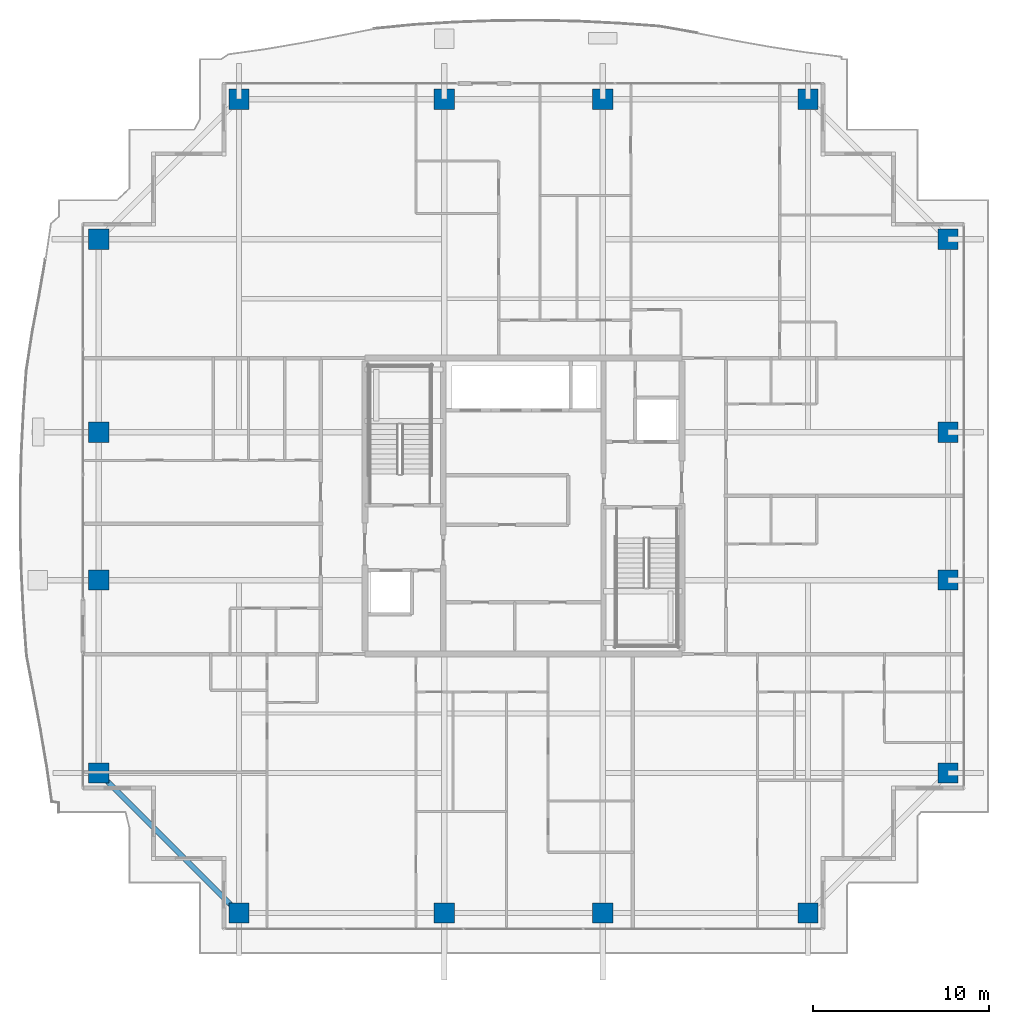
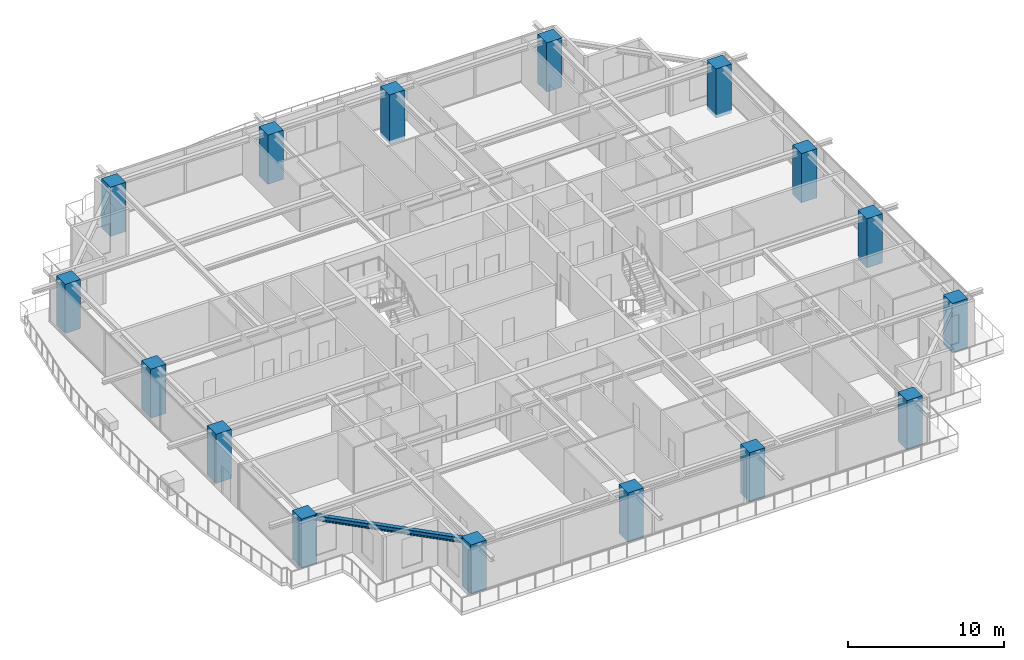
# One storey, part 1 of 38: 16 columns, 1 beam.
"""IFC4 building model written with IfcOpenShell, lengths in metres."""

from ifc_helpers import new_model, si_unit, direction, frame, origin, origin_2d, place, context, subcontext, project, spatial, rectangle, i_section, extrude, source, transform, mapped, material, material_profile, profile_set, type_object, element, save


model = new_model("IFC4")

# Units and contexts
model_context = context("Model", 3, precision=1e-05, world=origin(), true_north=direction((0.0, 1.0)))
body_context = subcontext(model_context, "Body", "Model", "MODEL_VIEW")
ifc_project = project(units=[si_unit("LENGTHUNIT", "METRE"), si_unit("AREAUNIT", "SQUARE_METRE"), si_unit("VOLUMEUNIT", "CUBIC_METRE"), si_unit("PLANEANGLEUNIT", "RADIAN"), si_unit("MASSUNIT", "GRAM", prefix="KILO")], contexts=[model_context])

# Site, building, storey
site_placement = place(None, origin())
site = spatial("IfcSite", under=ifc_project, at=site_placement, CompositionType="ELEMENT")
building_placement = place(site_placement, origin())
building = spatial("IfcBuilding", under=site, at=building_placement, Name="Serunith Strait Residences", CompositionType="ELEMENT")
storey_placement = place(building_placement, frame((0.0, 0.0, 268.199951171875)))
storey = spatial("IfcBuildingStorey", under=building, at=storey_placement, Name="L67", CompositionType="ELEMENT", Elevation=268.199951171875)

# Columns
ifc_material_1 = material(Name="Concrete C80/95", Category="concrete")
ifc_material_profile_1 = material_profile(ifc_material_1, rectangle(XDim=1.14990234375, YDim=1.14990234375, at=origin_2d()), Name="RC 1150x1150")
ifc_profile_set_1 = profile_set([ifc_material_profile_1], Name="Concrete C80/95")
column_type = type_object("IfcColumnType", Name="COL-RC-1150", PredefinedType="COLUMN", material=ifc_profile_set_1)
shared_shape_1 = source(origin(), body_context, "Body", "SweptSolid", [
    extrude(rectangle(XDim=1.14990234375, YDim=1.14990234375, at=origin_2d()), origin(), (0.0, 0.0, 1.0), 3.85009765625),
])
for number, where, z_axis, x_axis, name in (
    (1, (16.25, 2.10009765625, -0.260009765625), (0.0, 0.0, 1.0), (1.0, 0.0, 0.0), "L67 Tower Mega-Column TC-S1"),
    (2, (27.89990234375, 2.10009765625, -0.260009765625), (0.0, 0.0, 1.0), (1.0, 0.0, 0.0), "L67 Tower Mega-Column TC-S2"),
    (3, (36.89990234375, 2.10009765625, -0.260009765625), (0.0, 0.0, 1.0), (1.0, 0.0, 0.0), "L67 Tower Mega-Column TC-S3"),
    (4, (48.550048828125, 2.10009765625, -0.260009765625), (0.0, 0.0, 1.0), (1.0, 0.0, 0.0), "L67 Tower Mega-Column TC-S4"),
    (5, (16.25, 48.300048828125, -0.260009765625), (0.0, 0.0, 1.0), (1.0, 0.0, 0.0), "L67 Tower Mega-Column TC-N1"),
    (6, (27.89990234375, 48.300048828125, -0.260009765625), (0.0, 0.0, 1.0), (1.0, 0.0, 0.0), "L67 Tower Mega-Column TC-N2"),
    (7, (36.89990234375, 48.300048828125, -0.260009765625), (0.0, 0.0, 1.0), (1.0, 0.0, 0.0), "L67 Tower Mega-Column TC-N3"),
    (8, (48.550048828125, 48.300048828125, -0.260009765625), (0.0, 0.0, 1.0), (1.0, 0.0, 0.0), "L67 Tower Mega-Column TC-N4"),
    (9, (56.5, 10.050048828125, -0.260009765625), (0.0, 0.0, 1.0), (1.0, 0.0, 0.0), "L67 Tower Mega-Column TC-E1"),
    (10, (56.5, 21.0, -0.260009765625), (0.0, 0.0, 1.0), (1.0, 0.0, 0.0), "L67 Tower Mega-Column TC-E2"),
    (11, (56.5, 29.39990234375, -0.260009765625), (0.0, 0.0, 1.0), (1.0, 0.0, 0.0), "L67 Tower Mega-Column TC-E3"),
    (12, (56.5, 40.35009765625, -0.260009765625), (0.0, 0.0, 1.0), (1.0, 0.0, 0.0), "L67 Tower Mega-Column TC-E4"),
    (13, (8.300048828125, 10.050048828125, -0.260009765625), (0.0, 0.0, 1.0), (1.0, 0.0, 0.0), "L67 Tower Mega-Column TC-W1"),
    (14, (8.300048828125, 21.0, -0.260009765625), (0.0, 0.0, 1.0), (1.0, 0.0, 0.0), "L67 Tower Mega-Column TC-W2"),
    (15, (8.300048828125, 29.39990234375, -0.260009765625), (0.0, 0.0, 1.0), (1.0, 0.0, 0.0), "L67 Tower Mega-Column TC-W3"),
    (16, (8.300048828125, 40.35009765625, -0.260009765625), (0.0, 0.0, 1.0), (1.0, 0.0, 0.0), "L67 Tower Mega-Column TC-W4"),
):
    element("IfcColumn", number, at=place(storey_placement, frame(where, z_axis=z_axis, x_axis=x_axis)), inside=storey, type_object=column_type, Name=name, PredefinedType="COLUMN", context=body_context, shape_type="MappedRepresentation", body=[
        mapped(shared_shape_1, transform((0.0, 0.0, 0.0), scale=1.0)),
    ])

# Beam
ifc_material_2 = material(Name="Steel S355J2", Category="steel")
ifc_material_profile_2 = material_profile(ifc_material_2, i_section(OverallWidth=0.300048828125, OverallDepth=0.39990234375, WebThickness=0.013427734375, FlangeThickness=0.02392578125, FilletRadius=0.027099609375, at=origin_2d()), Name="HEB 400")
ifc_profile_set_2 = profile_set([ifc_material_profile_2], Name="Steel S355J2")
beam_type = type_object("IfcBeamType", Name="BM-HEB400", PredefinedType="BEAM", material=ifc_profile_set_2)
shared_shape_2 = source(origin(), body_context, "Body", "SweptSolid", [
    extrude(i_section(OverallWidth=0.300048828125, OverallDepth=0.39990234375, WebThickness=0.013427734375, FlangeThickness=0.02392578125, FilletRadius=0.027099609375, at=origin_2d()), origin(), (0.0, 0.0, 1.0), 11.242919921875),
])
beam_placement = place(storey_placement, frame((8.300048828125, 10.050048828125, 3.35693359375), z_axis=(0.707106781187, -0.707106781187, 0.0), x_axis=(0.707106781187, 0.707106781187, 0.0)))
element("IfcBeam", 17, at=beam_placement, inside=storey, type_object=beam_type, Name="L67 Perimeter Ring Beam 16", PredefinedType="BEAM", context=body_context, shape_type="MappedRepresentation", body=[
    mapped(shared_shape_2, transform((0.0, 0.0, 0.0), scale=1.0)),
])

save(model, "model.ifc")
